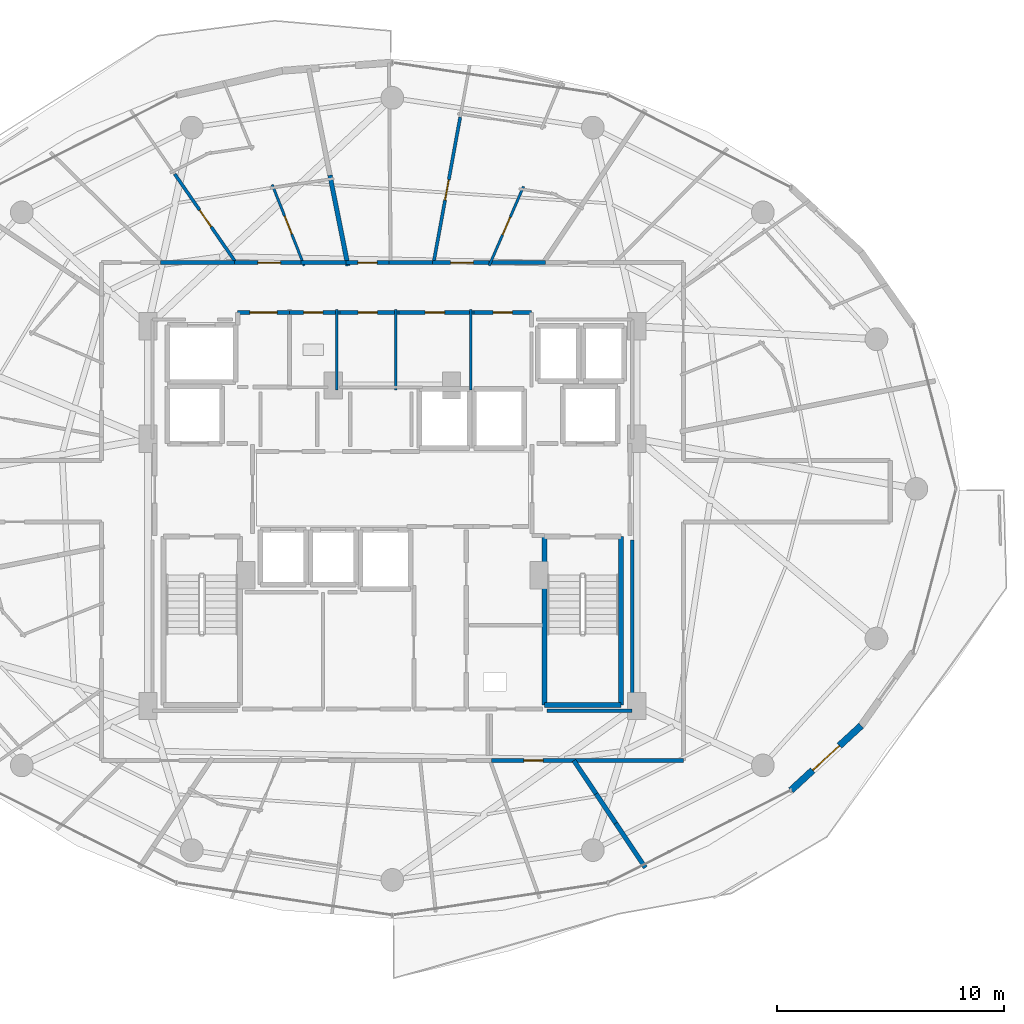
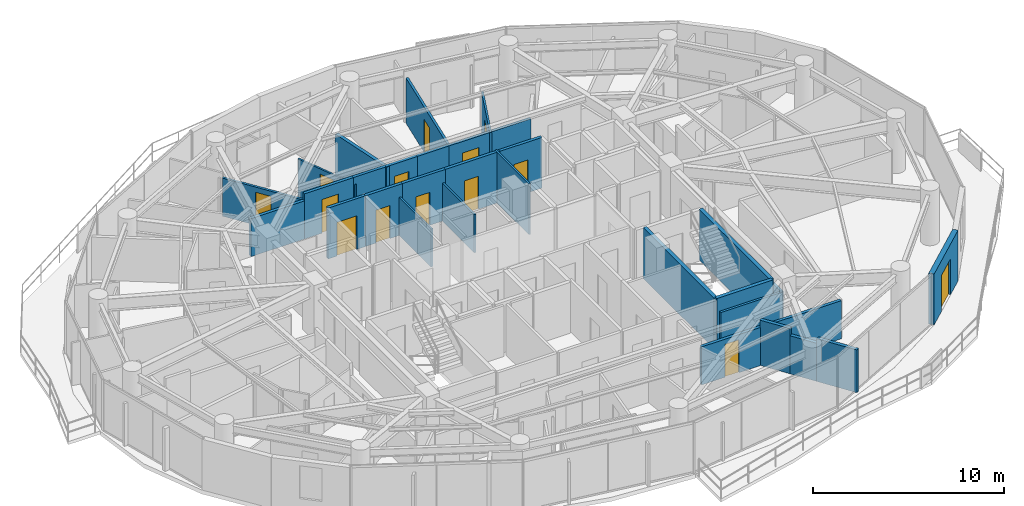
# One storey, part 24 of 30: 31 walls, 14 doors, 14 openings.
"""IFC4 building model written with IfcOpenShell, lengths in metres."""

import ifcopenshell
import ifcopenshell.guid

model = None  # the IFC model being written
_history = None  # IfcOwnerHistory: only IFC2X3 demands one
_inside = {}  # id of a spatial element -> (the spatial element, [elements in it])
_under = {}  # id of a project, library or spatial element -> (it, [spatial elements below it])
_declared = {}  # id of a project -> (the project, [libraries it declares])
_typed = {}  # id of a type object -> (the type object, [elements of that type])
_made_of = {}  # id of a material, layer set ... -> (it, [elements and type objects made of it])


def new_model(schema):
    """Start an empty IFC model of exactly this schema.

    Asked for "IFC4X3", IfcOpenShell would pick the latest addendum, in which some entities
    have other attributes; the version numbers below select the first issue.
    IFC2X3 requires an IfcOwnerHistory on every rooted entity: one is made here for all.
    """
    global model, _history
    if schema == "IFC4X3":
        model = ifcopenshell.file(schema_version=(4, 3, 0, 0))
    else:
        model = ifcopenshell.file(schema=schema)
    _inside.clear()
    _under.clear()
    _declared.clear()
    _typed.clear()
    _made_of.clear()
    _history = None
    if model.schema == "IFC2X3":
        org = make("IfcOrganization", Name="unknown")
        user = make(
            "IfcPersonAndOrganization",
            ThePerson=make("IfcPerson", FamilyName="unknown"),
            TheOrganization=org,
        )
        app = make(
            "IfcApplication",
            ApplicationDeveloper=org,
            Version="unknown",
            ApplicationFullName="unknown",
            ApplicationIdentifier="unknown",
        )
        _history = make(
            "IfcOwnerHistory",
            OwningUser=user,
            OwningApplication=app,
            ChangeAction="ADDED",
            CreationDate=0,
        )
    return model


def make(cls, **values):
    """One entity of the class cls with the attributes given. An attribute that is None is left unset."""
    return model.create_entity(
        cls, **{name: value for name, value in values.items() if value is not None}
    )


def rooted(cls, **values):
    """An entity with a GlobalId (a new one), such as an element, a storey or a relation."""
    return make(cls, GlobalId=ifcopenshell.guid.new(), OwnerHistory=_history, **values)


def si_unit(unit_type, name, prefix=None):
    """IfcSIUnit, for example si_unit("LENGTHUNIT", "METRE", prefix="MILLI")."""
    return make("IfcSIUnit", UnitType=unit_type, Prefix=prefix, Name=name)


def assignment(units):
    """IfcUnitAssignment: the units of a project."""
    return None if units is None else make("IfcUnitAssignment", Units=units)


def point(xyz):
    """IfcCartesianPoint."""
    return None if xyz is None else make("IfcCartesianPoint", Coordinates=xyz)


def direction(xyz):
    """IfcDirection."""
    return None if xyz is None else make("IfcDirection", DirectionRatios=xyz)


def frame(location, z_axis=None, x_axis=None):
    """IfcAxis2Placement3D, a coordinate frame: its origin and axes. An axis left out is left unset."""
    return make(
        "IfcAxis2Placement3D",
        Location=point(location),
        Axis=direction(z_axis),
        RefDirection=direction(x_axis),
    )


def frame_2d(location, x_axis=None):
    """IfcAxis2Placement2D, a coordinate frame in the plane: its origin and x axis."""
    return make(
        "IfcAxis2Placement2D", Location=point(location), RefDirection=direction(x_axis)
    )


def origin():
    """The frame at (0, 0, 0) with its axes left unset."""
    return frame((0.0, 0.0, 0.0))


def place(relative_to, where):
    """IfcLocalPlacement: puts the frame where relative to a parent placement (None: the world)."""
    return make(
        "IfcLocalPlacement", PlacementRelTo=relative_to, RelativePlacement=where
    )


def context(
    kind, dimensions, precision=None, world=None, true_north=None, identifier=None
):
    """IfcGeometricRepresentationContext, for example the 3D "Model" context."""
    return make(
        "IfcGeometricRepresentationContext",
        ContextIdentifier=identifier,
        ContextType=kind,
        CoordinateSpaceDimension=dimensions,
        Precision=precision,
        WorldCoordinateSystem=world,
        TrueNorth=true_north,
    )


def subcontext(parent, identifier, kind, view, scale=None):
    """IfcGeometricRepresentationSubContext, for example "Body" below "Model"."""
    return make(
        "IfcGeometricRepresentationSubContext",
        ContextIdentifier=identifier,
        ContextType=kind,
        ParentContext=parent,
        TargetScale=scale,
        TargetView=view,
    )


def project(units=None, contexts=None):
    """IfcProject with its units and contexts."""
    return rooted(
        "IfcProject",
        Name="project",
        RepresentationContexts=contexts,
        UnitsInContext=assignment(units),
    )


def spatial(cls, under=None, at=None, **own):
    """A site, building, storey or space (cls), placed at a placement, below another one or the project."""
    s = rooted(cls, ObjectPlacement=at, **own)
    if under is not None:
        _under.setdefault(under.id(), (under, []))[1].append(s)
    return s


def profile(cls, at=None, kind="AREA", **sizes):
    """A parametric profile (cls). Its sizes go by their IFC names, for example OverallWidth=200.0."""
    return make(cls, ProfileType=kind, Position=at, **sizes)


def rectangle(**sizes):
    """IfcRectangleProfileDef."""
    return profile("IfcRectangleProfileDef", **sizes)


def extrude(swept, where, along, depth):
    """IfcExtrudedAreaSolid: the profile swept, set in the frame where, extruded along a direction by depth."""
    return make(
        "IfcExtrudedAreaSolid",
        SweptArea=swept,
        Position=where,
        ExtrudedDirection=direction(along),
        Depth=depth,
    )


def shape(context_of_items, identifier, shape_type, items):
    """IfcShapeRepresentation: the items that make up one representation, for example the "Body"."""
    return make(
        "IfcShapeRepresentation",
        ContextOfItems=context_of_items,
        RepresentationIdentifier=identifier,
        RepresentationType=shape_type,
        Items=items,
    )


def material(Name=None, Category=None):
    """IfcMaterial."""
    return make("IfcMaterial", Name=Name, Category=Category)


def layer(
    of_material, thickness, ventilated=None, Name=None, Category=None, Priority=None
):
    """IfcMaterialLayer: one layer of a wall or slab, of a material (None: an air gap)."""
    return make(
        "IfcMaterialLayer",
        Material=of_material,
        LayerThickness=thickness,
        IsVentilated=ventilated,
        Name=Name,
        Category=Category,
        Priority=Priority,
    )


def layer_set(layers, Name=None):
    """IfcMaterialLayerSet."""
    return make("IfcMaterialLayerSet", MaterialLayers=layers, LayerSetName=Name)


def made_of(thing, what):
    """Note that an element or type object is made of a material, layer set ...; save() writes the relation."""
    if what is not None:
        _made_of.setdefault(what.id(), (what, []))[1].append(thing)
    return thing


def type_object(cls, material=None, **own):
    """A type object (cls), such as IfcWallType, which elements share."""
    return made_of(rooted(cls, **own), material)


def element(
    cls,
    number,
    at=None,
    inside=None,
    cuts=None,
    type_object=None,
    material=None,
    context=None,
    identifier="Body",
    shape_type=None,
    held_by="IfcProductDefinitionShape",
    body=None,
    shapes=None,
    **own,
):
    """One element of the class cls, such as IfcWall. Its Tag is "e" and its number.

    at: its placement. inside: the storey or other place that contains it. cuts: it is an
    opening in that element (IfcRelVoidsElement). A single representation is given by context,
    identifier, shape_type and body (its items); several are given by shapes. held_by: the class
    of the entity that holds the representations. save() writes the other relations.
    """
    e = rooted(cls, Tag="e%d" % number, ObjectPlacement=at, **own)
    if body is not None:
        shapes = [shape(context, identifier, shape_type, body)]
    if shapes is not None:
        e.Representation = make(held_by, Representations=shapes)
    if inside is not None:
        _inside.setdefault(inside.id(), (inside, []))[1].append(e)
    if cuts is not None:
        rooted(
            "IfcRelVoidsElement", RelatingBuildingElement=cuts, RelatedOpeningElement=e
        )
    if type_object is not None:
        _typed.setdefault(type_object.id(), (type_object, []))[1].append(e)
    return made_of(e, material)


def fill(opening, filler):
    """IfcRelFillsElement: the door or window that sits in an opening."""
    return rooted(
        "IfcRelFillsElement",
        RelatingOpeningElement=opening,
        RelatedBuildingElement=filler,
    )


def aggregate(whole, parts):
    """IfcRelAggregates: a whole, such as a stair, and the parts it consists of."""
    return rooted("IfcRelAggregates", RelatingObject=whole, RelatedObjects=parts)


def save(model, path):
    """Write the relations noted so far, then the file.

    IfcRelAggregates (storeys below a building ...), IfcRelContainedInSpatialStructure (elements
    in a storey), IfcRelDefinesByType, IfcRelAssociatesMaterial and IfcRelDeclares: one each for
    every whole, place, type object, material and project.
    """
    for whole, parts in _under.values():
        aggregate(whole, parts)
    for where, things in _inside.values():
        rooted(
            "IfcRelContainedInSpatialStructure",
            RelatedElements=things,
            RelatingStructure=where,
        )
    for kind, things in _typed.values():
        rooted("IfcRelDefinesByType", RelatedObjects=things, RelatingType=kind)
    for what, things in _made_of.values():
        rooted("IfcRelAssociatesMaterial", RelatedObjects=things, RelatingMaterial=what)
    for by, libraries in _declared.values():
        rooted("IfcRelDeclares", RelatingContext=by, RelatedDefinitions=libraries)
    model.write(path)


model = new_model("IFC4")

# Units and contexts
model_context = context("Model", 3, precision=1e-05, world=origin(), true_north=direction((0.0, 1.0)))
body_context = subcontext(model_context, "Body", "Model", "MODEL_VIEW")
ifc_project = project(units=[si_unit("LENGTHUNIT", "METRE"), si_unit("AREAUNIT", "SQUARE_METRE"), si_unit("VOLUMEUNIT", "CUBIC_METRE"), si_unit("PLANEANGLEUNIT", "RADIAN"), si_unit("MASSUNIT", "GRAM", prefix="KILO")], contexts=[model_context])

# Site, building, storey
site_placement = place(None, origin())
site = spatial("IfcSite", under=ifc_project, at=site_placement, CompositionType="ELEMENT")
building_placement = place(site_placement, origin())
building = spatial("IfcBuilding", under=site, at=building_placement, Name="Vorneva Point Tower", CompositionType="ELEMENT")
storey_placement = place(building_placement, frame((0.0, 0.0, 157.10009765625)))
storey = spatial("IfcBuildingStorey", under=building, at=storey_placement, Name="L42", CompositionType="ELEMENT", Elevation=157.10009765625)

# Wall, opening, door
ifc_material_1 = material(Name="Precast concrete B50 (C40/50)", Category="concrete")
ifc_layer_1 = layer(ifc_material_1, 0.300048828125)
ifc_layer_set_1 = layer_set([ifc_layer_1], Name="Precast concrete B50 (C40/50)")
wall_type_1 = type_object("IfcWallType", Name="WL-EXT-300", PredefinedType="STANDARD", material=ifc_layer_set_1)
wall_1_placement = place(storey_placement, frame((55.5361328125, 12.74169921875, 0.0), z_axis=(0.0, 0.0, 1.0), x_axis=(0.735477154165, 0.677549522693, 0.0)))
wall_1 = element("IfcWall", 1, at=wall_1_placement, inside=storey, type_object=wall_type_1, Name="L42 Pale-Metal Facade Spandrel Wall 15.1", PredefinedType="STANDARD", context=body_context, shape_type="SweptSolid", body=[
    extrude(rectangle(XDim=4.193603515625, YDim=0.300048828125, at=frame_2d((2.0966796875, 0.0))), origin(), (0.0, 0.0, 1.0), 3.239990234375),
])
opening_1_placement = place(wall_1_placement, frame((1.296875, 0.0, 0.0)))
opening_1 = element("IfcOpeningElement", 2, at=opening_1_placement, cuts=wall_1, Name="Opening BD-01", PredefinedType="OPENING", context=body_context, shape_type="SweptSolid", body=[
    extrude(rectangle(XDim=1.60009765625, YDim=2.300048828125, at=frame_2d((0.800048828125, 1.14990234375))), frame((0.0, 0.1650390625, 0.0), z_axis=(0.0, -1.0, 0.0), x_axis=(1.0, 0.0, 0.0)), (0.0, 0.0, 1.0), 0.329833984375),
])
ifc_material_2 = material(Name="Pale anodised aluminium", Category="aluminium")
door_type_1 = type_object("IfcDoorType", Name="DR-BAL-1600", OperationType="SLIDING_TO_LEFT", PredefinedType="DOOR", material=ifc_material_2)
door_1_placement = place(opening_1_placement, origin())
door_1 = element("IfcDoor", 3, at=door_1_placement, inside=storey, type_object=door_type_1, Name="L42 Balcony Terrace Access Door 15", OperationType="SLIDING_TO_LEFT", OverallHeight=2.300048828125, OverallWidth=1.60009765625, PredefinedType="DOOR", context=body_context, shape_type="SweptSolid", body=[
    extrude(rectangle(XDim=1.60009765625, YDim=2.300048828125, at=frame_2d((0.800048828125, 1.14990234375))), frame((0.0, 0.02490234375, 0.0), z_axis=(0.0, -1.0, 0.0), x_axis=(1.0, 0.0, 0.0)), (0.0, 0.0, 1.0), 0.050048828125),
])
fill(opening_1, door_1)

# Walls
ifc_material_3 = material(Name="Fire-rated acoustic gypsum stud partition", Category="gypsum")
ifc_layer_2 = layer(ifc_material_3, 0.110107421875)
ifc_layer_set_2 = layer_set([ifc_layer_2], Name="Fire-rated acoustic gypsum stud partition")
wall_type_2 = type_object("IfcWallType", Name="WL-PART-110", PredefinedType="PARTITIONING", material=ifc_layer_set_2)
for number, where, z_axis, x_axis, name in (
    (4, (35.550048828125, 30.340087890625, 0.0), (0.0, 0.0, 1.0), (0.0, 1.0, 0.0), "L42 Interior Partition 020"),
    (5, (38.14990234375, 30.340087890625, 0.0), (0.0, 0.0, 1.0), (0.0, 1.0, 0.0), "L42 Interior Partition 023"),
):
    element("IfcWall", number, at=place(storey_placement, frame(where, z_axis=z_axis, x_axis=x_axis)), inside=storey, type_object=wall_type_2, Name=name, PredefinedType="PARTITIONING", context=body_context, shape_type="SweptSolid", body=[
        extrude(rectangle(XDim=3.559814453125, YDim=0.110107421875, at=frame_2d((1.77978515625, 0.0))), origin(), (0.0, 0.0, 1.0), 2.431884765625),
    ])
wall_2_placement = place(storey_placement, frame((41.449951171875, 30.340087890625, 0.0), z_axis=(0.0, 0.0, 1.0), x_axis=(0.0, 1.0, 0.0)))
element("IfcWall", 6, at=wall_2_placement, inside=storey, type_object=wall_type_2, Name="L42 Interior Partition 026", PredefinedType="PARTITIONING", context=body_context, shape_type="SweptSolid", body=[
    extrude(rectangle(XDim=3.559814453125, YDim=0.110107421875, at=frame_2d((1.77978515625, 0.0))), origin(), (0.0, 0.0, 1.0), 3.239990234375),
])

# Wall, opening, door
wall_3_placement = place(storey_placement, frame((42.26123046875, 35.821533203125, 0.0), z_axis=(0.0, 0.0, 1.0), x_axis=(0.398098222937, 0.917342795739, 0.0)))
wall_3 = element("IfcWall", 7, at=wall_3_placement, inside=storey, type_object=wall_type_2, Name="L42 Interior Partition 084", PredefinedType="PARTITIONING", context=body_context, shape_type="SweptSolid", body=[
    extrude(rectangle(XDim=3.796630859375, YDim=0.110107421875, at=frame_2d((1.8984375, 0.0))), origin(), (0.0, 0.0, 1.0), 2.885986328125),
])
opening_2_placement = place(wall_3_placement, frame((1.473388671875, 0.0, 0.0)))
opening_2 = element("IfcOpeningElement", 8, at=opening_2_placement, cuts=wall_3, Name="Opening ID-02", PredefinedType="OPENING", context=body_context, shape_type="SweptSolid", body=[
    extrude(rectangle(XDim=0.85009765625, YDim=2.10009765625, at=frame_2d((0.425048828125, 1.050048828125))), frame((0.0, 0.06982421875, 0.0), z_axis=(0.0, -1.0, 0.0), x_axis=(1.0, 0.0, 0.0)), (0.0, 0.0, 1.0), 0.139892578125),
])
ifc_material_4 = material(Name="Engineered oak fire-rated door leaf", Category="wood")
door_type_2 = type_object("IfcDoorType", Name="DR-BATH-850", OperationType="NOTDEFINED", PredefinedType="DOOR", material=ifc_material_4)
door_2_placement = place(opening_2_placement, origin())
door_2 = element("IfcDoor", 9, at=door_2_placement, inside=storey, type_object=door_type_2, Name="L42 Door Living and Dining Room L42-02 / Bathroom L42-02", OperationType="SINGLE_SWING_RIGHT", OverallHeight=2.10009765625, OverallWidth=0.85009765625, PredefinedType="DOOR", context=body_context, shape_type="SweptSolid", body=[
    extrude(rectangle(XDim=0.85009765625, YDim=2.10009765625, at=frame_2d((0.425048828125, 1.050048828125))), frame((0.0, 0.02490234375, 0.0), z_axis=(0.0, -1.0, 0.0), x_axis=(1.0, 0.0, 0.0)), (0.0, 0.0, 1.0), 0.050048828125),
])
fill(opening_2, door_2)

wall_4_placement = place(storey_placement, frame((34.122314453125, 35.81982421875, 0.0), z_axis=(0.0, 0.0, 1.0), x_axis=(-0.36711859649, 0.930174142896, 0.0)))
wall_4 = element("IfcWall", 10, at=wall_4_placement, inside=storey, type_object=wall_type_2, Name="L42 Interior Partition 095", PredefinedType="PARTITIONING", context=body_context, shape_type="SweptSolid", body=[
    extrude(rectangle(XDim=3.826416015625, YDim=0.110107421875, at=frame_2d((1.9130859375, 0.0))), origin(), (0.0, 0.0, 1.0), 2.431884765625),
])
opening_3_placement = place(wall_4_placement, frame((1.48828125, 0.0, 0.0)))
opening_3 = element("IfcOpeningElement", 11, at=opening_3_placement, cuts=wall_4, Name="Opening ID-02", PredefinedType="OPENING", context=body_context, shape_type="SweptSolid", body=[
    extrude(rectangle(XDim=0.85009765625, YDim=2.10009765625, at=frame_2d((0.425048828125, 1.050048828125))), frame((0.0, 0.06982421875, 0.0), z_axis=(0.0, -1.0, 0.0), x_axis=(1.0, 0.0, 0.0)), (0.0, 0.0, 1.0), 0.139892578125),
])
door_3_placement = place(opening_3_placement, origin())
door_3 = element("IfcDoor", 12, at=door_3_placement, inside=storey, type_object=door_type_2, Name="L42 Door Living and Dining Room L42-03 / Bathroom L42-03", OperationType="SINGLE_SWING_LEFT", OverallHeight=2.10009765625, OverallWidth=0.85009765625, PredefinedType="DOOR", context=body_context, shape_type="SweptSolid", body=[
    extrude(rectangle(XDim=0.85009765625, YDim=2.10009765625, at=frame_2d((0.425048828125, 1.050048828125))), frame((0.0, 0.02490234375, 0.0), z_axis=(0.0, -1.0, 0.0), x_axis=(1.0, 0.0, 0.0)), (0.0, 0.0, 1.0), 0.050048828125),
])
fill(opening_3, door_3)

ifc_layer_3 = layer(ifc_material_3, 0.139892578125)
ifc_layer_set_3 = layer_set([ifc_layer_3], Name="Fire-rated acoustic gypsum stud partition")
wall_type_3 = type_object("IfcWallType", Name="WL-PART-140", PredefinedType="PARTITIONING", material=ifc_layer_set_3)
wall_5_placement = place(storey_placement, frame((40.985595703125, 42.349365234375, 0.0), z_axis=(0.0, 0.0, 1.0), x_axis=(-0.179654893395, -0.983729698281, 0.0)))
wall_5 = element("IfcWall", 13, at=wall_5_placement, inside=storey, type_object=wall_type_3, Name="L42 Interior Partition 091", PredefinedType="PARTITIONING", context=body_context, shape_type="SweptSolid", body=[
    extrude(rectangle(XDim=6.50537109375, YDim=0.139892578125, at=frame_2d((3.252685546875, 0.0))), origin(), (0.0, 0.0, 1.0), 2.885986328125),
])
opening_4_placement = place(wall_5_placement, frame((2.802490234375, 0.0, 0.0)))
opening_4 = element("IfcOpeningElement", 14, at=opening_4_placement, cuts=wall_5, Name="Opening ID-01", PredefinedType="OPENING", context=body_context, shape_type="SweptSolid", body=[
    extrude(rectangle(XDim=0.89990234375, YDim=2.10009765625, at=frame_2d((0.449951171875, 1.050048828125))), frame((0.0, 0.0849609375, 0.0), z_axis=(0.0, -1.0, 0.0), x_axis=(1.0, 0.0, 0.0)), (0.0, 0.0, 1.0), 0.169677734375),
])
door_type_3 = type_object("IfcDoorType", Name="DR-ROOM-900", OperationType="NOTDEFINED", PredefinedType="DOOR", material=ifc_material_4)
door_4_placement = place(opening_4_placement, origin())
door_4 = element("IfcDoor", 15, at=door_4_placement, inside=storey, type_object=door_type_3, Name="L42 Door Living and Dining Room L42-02 / Master Bedroom L42-02.1", OperationType="SINGLE_SWING_RIGHT", OverallHeight=2.10009765625, OverallWidth=0.89990234375, PredefinedType="DOOR", context=body_context, shape_type="SweptSolid", body=[
    extrude(rectangle(XDim=0.89990234375, YDim=2.10009765625, at=frame_2d((0.449951171875, 1.050048828125))), frame((0.0, 0.02490234375, 0.0), z_axis=(0.0, -1.0, 0.0), x_axis=(1.0, 0.0, 0.0)), (0.0, 0.0, 1.0), 0.050048828125),
])
fill(opening_4, door_4)

wall_6_placement = place(storey_placement, frame((28.428466796875, 39.848876953125, 0.0), z_axis=(0.0, 0.0, 1.0), x_axis=(0.568542808453, -0.822653678626, 0.0)))
wall_6 = element("IfcWall", 16, at=wall_6_placement, inside=storey, type_object=wall_type_3, Name="L42 Interior Partition 101", PredefinedType="PARTITIONING", context=body_context, shape_type="SweptSolid", body=[
    extrude(rectangle(XDim=4.739501953125, YDim=0.139892578125, at=frame_2d((2.36962890625, 0.0))), origin(), (0.0, 0.0, 1.0), 2.431884765625),
])
opening_5_placement = place(wall_6_placement, frame((1.919677734375, 0.0, 0.0)))
opening_5 = element("IfcOpeningElement", 17, at=opening_5_placement, cuts=wall_6, Name="Opening ID-01", PredefinedType="OPENING", context=body_context, shape_type="SweptSolid", body=[
    extrude(rectangle(XDim=0.89990234375, YDim=2.10009765625, at=frame_2d((0.449951171875, 1.050048828125))), frame((0.0, 0.0849609375, 0.0), z_axis=(0.0, -1.0, 0.0), x_axis=(1.0, 0.0, 0.0)), (0.0, 0.0, 1.0), 0.169677734375),
])
door_5_placement = place(opening_5_placement, origin())
door_5 = element("IfcDoor", 18, at=door_5_placement, inside=storey, type_object=door_type_3, Name="L42 Door Living and Dining Room L42-03 / Master Bedroom L42-03.1", OperationType="SINGLE_SWING_RIGHT", OverallHeight=2.10009765625, OverallWidth=0.89990234375, PredefinedType="DOOR", context=body_context, shape_type="SweptSolid", body=[
    extrude(rectangle(XDim=0.89990234375, YDim=2.10009765625, at=frame_2d((0.449951171875, 1.050048828125))), frame((0.0, 0.02490234375, 0.0), z_axis=(0.0, -1.0, 0.0), x_axis=(1.0, 0.0, 0.0)), (0.0, 0.0, 1.0), 0.050048828125),
])
fill(opening_5, door_5)

# Walls
wall_7_placement = place(storey_placement, frame((44.804931640625, 16.239990234375, 0.0), z_axis=(0.0, 0.0, 1.0), x_axis=(1.0, 0.0, 0.0)))
element("IfcWall", 19, at=wall_7_placement, inside=storey, type_object=wall_type_3, Name="L42 Interior Closure Partition 163", PredefinedType="PARTITIONING", context=body_context, shape_type="SweptSolid", body=[
    extrude(rectangle(XDim=3.7451171875, YDim=0.139892578125, at=frame_2d((1.87255859375, 0.0))), origin(), (0.0, 0.0, 1.0), 2.431884765625),
])
wall_8_placement = place(storey_placement, frame((48.550048828125, 16.239990234375, 0.0), z_axis=(0.0, 0.0, 1.0), x_axis=(0.0, 1.0, 0.0)))
element("IfcWall", 20, at=wall_8_placement, inside=storey, type_object=wall_type_3, Name="L42 Interior Closure Partition 164", PredefinedType="PARTITIONING", context=body_context, shape_type="SweptSolid", body=[
    extrude(rectangle(XDim=7.513916015625, YDim=0.139892578125, at=frame_2d((3.7568359375, 0.0))), origin(), (0.0, 0.0, 1.0), 2.431884765625),
])

# Wall, opening, door
ifc_material_5 = material(Name="Autoclaved aerated concrete blockwork", Category="masonry")
ifc_layer_4 = layer(ifc_material_5, 0.179931640625)
ifc_layer_set_4 = layer_set([ifc_layer_4], Name="Autoclaved aerated concrete blockwork")
wall_type_4 = type_object("IfcWallType", Name="WL-PART-180", PredefinedType="PARTITIONING", material=ifc_layer_set_4)
wall_9_placement = place(storey_placement, frame((33.469970703125, 33.760009765625, 0.0), z_axis=(0.0, 0.0, 1.0), x_axis=(-1.0, 0.0, 0.0)))
wall_9 = element("IfcWall", 21, at=wall_9_placement, inside=storey, type_object=wall_type_4, Name="L42 Interior Partition 008", PredefinedType="PARTITIONING", context=body_context, shape_type="SweptSolid", body=[
    extrude(rectangle(XDim=2.27001953125, YDim=0.179931640625, at=frame_2d((1.135009765625, 0.0))), origin(), (0.0, 0.0, 1.0), 3.239990234375),
])
opening_6_placement = place(wall_9_placement, frame((0.534912109375, 0.0, 0.0)))
opening_6 = element("IfcOpeningElement", 22, at=opening_6_placement, cuts=wall_9, Name="Opening FD-02", PredefinedType="OPENING", context=body_context, shape_type="SweptSolid", body=[
    extrude(rectangle(XDim=1.199951171875, YDim=2.14990234375, at=frame_2d((0.60009765625, 1.074951171875))), frame((0.0, 0.10498046875, 0.0), z_axis=(0.0, -1.0, 0.0), x_axis=(1.0, 0.0, 0.0)), (0.0, 0.0, 1.0), 0.209716796875),
])
ifc_material_6 = material(Name="Fire-rated powder-coated steel", Category="steel")
door_type_4 = type_object("IfcDoorType", Name="DR-FFL-1200", OperationType="NOTDEFINED", PredefinedType="DOOR", material=ifc_material_6)
door_6_placement = place(opening_6_placement, origin())
door_6 = element("IfcDoor", 23, at=door_6_placement, inside=storey, type_object=door_type_4, Name="L42 Door Service Lift Lobby / L42 Circulation Corridor", OperationType="SINGLE_SWING_RIGHT", OverallHeight=2.14990234375, OverallWidth=1.199951171875, PredefinedType="DOOR", context=body_context, shape_type="SweptSolid", body=[
    extrude(rectangle(XDim=1.199951171875, YDim=2.14990234375, at=frame_2d((0.60009765625, 1.074951171875))), frame((0.0, 0.02490234375, 0.0), z_axis=(0.0, -1.0, 0.0), x_axis=(1.0, 0.0, 0.0)), (0.0, 0.0, 1.0), 0.050048828125),
])
fill(opening_6, door_6)

wall_10_placement = place(storey_placement, frame((35.68994140625, 33.760009765625, 0.0), z_axis=(0.0, 0.0, 1.0), x_axis=(-1.0, 0.0, 0.0)))
wall_10 = element("IfcWall", 24, at=wall_10_placement, inside=storey, type_object=wall_type_4, Name="L42 Interior Partition 022", PredefinedType="PARTITIONING", context=body_context, shape_type="SweptSolid", body=[
    extrude(rectangle(XDim=2.329833984375, YDim=0.179931640625, at=frame_2d((1.1650390625, 0.0))), origin(), (0.0, 0.0, 1.0), 3.239990234375),
])
opening_7_placement = place(wall_10_placement, frame((0.739990234375, 0.0, 0.0)))
opening_7 = element("IfcOpeningElement", 25, at=opening_7_placement, cuts=wall_10, Name="Opening ID-02", PredefinedType="OPENING", context=body_context, shape_type="SweptSolid", body=[
    extrude(rectangle(XDim=0.85009765625, YDim=2.10009765625, at=frame_2d((0.425048828125, 1.050048828125))), frame((0.0, 0.10498046875, 0.0), z_axis=(0.0, -1.0, 0.0), x_axis=(1.0, 0.0, 0.0)), (0.0, 0.0, 1.0), 0.209716796875),
])
door_7_placement = place(opening_7_placement, origin())
door_7 = element("IfcDoor", 26, at=door_7_placement, inside=storey, type_object=door_type_2, Name="L42 Door Accessible WC / L42 Circulation Corridor", OperationType="SINGLE_SWING_RIGHT", OverallHeight=2.10009765625, OverallWidth=0.85009765625, PredefinedType="DOOR", context=body_context, shape_type="SweptSolid", body=[
    extrude(rectangle(XDim=0.85009765625, YDim=2.10009765625, at=frame_2d((0.425048828125, 1.050048828125))), frame((0.0, 0.02490234375, 0.0), z_axis=(0.0, -1.0, 0.0), x_axis=(1.0, 0.0, 0.0)), (0.0, 0.0, 1.0), 0.050048828125),
])
fill(opening_7, door_7)

wall_11_placement = place(storey_placement, frame((38.2900390625, 33.760009765625, 0.0), z_axis=(0.0, 0.0, 1.0), x_axis=(-1.0, 0.0, 0.0)))
wall_11 = element("IfcWall", 27, at=wall_11_placement, inside=storey, type_object=wall_type_4, Name="L42 Interior Partition 025", PredefinedType="PARTITIONING", context=body_context, shape_type="SweptSolid", body=[
    extrude(rectangle(XDim=2.739990234375, YDim=0.179931640625, at=frame_2d((1.3701171875, 0.0))), origin(), (0.0, 0.0, 1.0), 3.239990234375),
])
opening_8_placement = place(wall_11_placement, frame((0.945068359375, 0.0, 0.0)))
opening_8 = element("IfcOpeningElement", 28, at=opening_8_placement, cuts=wall_11, Name="Opening ID-02", PredefinedType="OPENING", context=body_context, shape_type="SweptSolid", body=[
    extrude(rectangle(XDim=0.85009765625, YDim=2.10009765625, at=frame_2d((0.425048828125, 1.050048828125))), frame((0.0, 0.10498046875, 0.0), z_axis=(0.0, -1.0, 0.0), x_axis=(1.0, 0.0, 0.0)), (0.0, 0.0, 1.0), 0.209716796875),
])
door_8_placement = place(opening_8_placement, origin())
door_8 = element("IfcDoor", 29, at=door_8_placement, inside=storey, type_object=door_type_2, Name="L42 Door Public Male WC / L42 Circulation Corridor", OperationType="SINGLE_SWING_LEFT", OverallHeight=2.10009765625, OverallWidth=0.85009765625, PredefinedType="DOOR", context=body_context, shape_type="SweptSolid", body=[
    extrude(rectangle(XDim=0.85009765625, YDim=2.10009765625, at=frame_2d((0.425048828125, 1.050048828125))), frame((0.0, 0.02490234375, 0.0), z_axis=(0.0, -1.0, 0.0), x_axis=(1.0, 0.0, 0.0)), (0.0, 0.0, 1.0), 0.050048828125),
])
fill(opening_8, door_8)

wall_12_placement = place(storey_placement, frame((41.590087890625, 33.760009765625, 0.0), z_axis=(0.0, 0.0, 1.0), x_axis=(-1.0, 0.0, 0.0)))
wall_12 = element("IfcWall", 30, at=wall_12_placement, inside=storey, type_object=wall_type_4, Name="L42 Interior Partition 028", PredefinedType="PARTITIONING", context=body_context, shape_type="SweptSolid", body=[
    extrude(rectangle(XDim=3.440185546875, YDim=0.179931640625, at=frame_2d((1.72021484375, 0.0))), origin(), (0.0, 0.0, 1.0), 3.239990234375),
])
opening_9_placement = place(wall_12_placement, frame((1.294921875, 0.0, 0.0)))
opening_9 = element("IfcOpeningElement", 31, at=opening_9_placement, cuts=wall_12, Name="Opening ID-02", PredefinedType="OPENING", context=body_context, shape_type="SweptSolid", body=[
    extrude(rectangle(XDim=0.85009765625, YDim=2.10009765625, at=frame_2d((0.425048828125, 1.050048828125))), frame((0.0, 0.10498046875, 0.0), z_axis=(0.0, -1.0, 0.0), x_axis=(1.0, 0.0, 0.0)), (0.0, 0.0, 1.0), 0.209716796875),
])
door_9_placement = place(opening_9_placement, origin())
door_9 = element("IfcDoor", 32, at=door_9_placement, inside=storey, type_object=door_type_2, Name="L42 Door Public Female WC / L42 Circulation Corridor", OperationType="SINGLE_SWING_RIGHT", OverallHeight=2.10009765625, OverallWidth=0.85009765625, PredefinedType="DOOR", context=body_context, shape_type="SweptSolid", body=[
    extrude(rectangle(XDim=0.85009765625, YDim=2.10009765625, at=frame_2d((0.425048828125, 1.050048828125))), frame((0.0, 0.02490234375, 0.0), z_axis=(0.0, -1.0, 0.0), x_axis=(1.0, 0.0, 0.0)), (0.0, 0.0, 1.0), 0.050048828125),
])
fill(opening_9, door_9)

wall_13_placement = place(storey_placement, frame((44.1201171875, 33.760009765625, 0.0), z_axis=(0.0, 0.0, 1.0), x_axis=(-1.0, 0.0, 0.0)))
wall_13 = element("IfcWall", 33, at=wall_13_placement, inside=storey, type_object=wall_type_4, Name="L42 Interior Partition 029", PredefinedType="PARTITIONING", context=body_context, shape_type="SweptSolid", body=[
    extrude(rectangle(XDim=2.530029296875, YDim=0.179931640625, at=frame_2d((1.26513671875, 0.0))), origin(), (0.0, 0.0, 1.0), 3.239990234375),
])
opening_10_placement = place(wall_13_placement, frame((0.840087890625, 0.0, 0.0)))
opening_10 = element("IfcOpeningElement", 34, at=opening_10_placement, cuts=wall_13, Name="Opening ID-02", PredefinedType="OPENING", context=body_context, shape_type="SweptSolid", body=[
    extrude(rectangle(XDim=0.85009765625, YDim=2.10009765625, at=frame_2d((0.425048828125, 1.050048828125))), frame((0.0, 0.10498046875, 0.0), z_axis=(0.0, -1.0, 0.0), x_axis=(1.0, 0.0, 0.0)), (0.0, 0.0, 1.0), 0.209716796875),
])
door_10_placement = place(opening_10_placement, origin())
door_10 = element("IfcDoor", 35, at=door_10_placement, inside=storey, type_object=door_type_2, Name="L42 Door Cleaners Store / L42 Circulation Corridor", OperationType="SINGLE_SWING_LEFT", OverallHeight=2.10009765625, OverallWidth=0.85009765625, PredefinedType="DOOR", context=body_context, shape_type="SweptSolid", body=[
    extrude(rectangle(XDim=0.85009765625, YDim=2.10009765625, at=frame_2d((0.425048828125, 1.050048828125))), frame((0.0, 0.02490234375, 0.0), z_axis=(0.0, -1.0, 0.0), x_axis=(1.0, 0.0, 0.0)), (0.0, 0.0, 1.0), 0.050048828125),
])
fill(opening_10, door_10)

wall_14_placement = place(storey_placement, frame((42.382080078125, 35.949951171875, 0.0), z_axis=(0.0, 0.0, 1.0), x_axis=(-1.0, 0.0, 0.0)))
wall_14 = element("IfcWall", 36, at=wall_14_placement, inside=storey, type_object=wall_type_4, Name="L42 Interior Partition 039", PredefinedType="PARTITIONING", context=body_context, shape_type="SweptSolid", body=[
    extrude(rectangle(XDim=2.625, YDim=0.179931640625, at=frame_2d((1.3125, 0.0))), origin(), (0.0, 0.0, 1.0), 2.885986328125),
])
opening_11_placement = place(wall_14_placement, frame((0.8125, 0.0, 0.0)))
opening_11 = element("IfcOpeningElement", 37, at=opening_11_placement, cuts=wall_14, Name="Opening UD-01", PredefinedType="OPENING", context=body_context, shape_type="SweptSolid", body=[
    extrude(rectangle(XDim=1.0, YDim=2.14990234375, at=frame_2d((0.5, 1.074951171875))), frame((0.0, 0.10498046875, 0.0), z_axis=(0.0, -1.0, 0.0), x_axis=(1.0, 0.0, 0.0)), (0.0, 0.0, 1.0), 0.209716796875),
])
door_type_5 = type_object("IfcDoorType", Name="DR-UNIT-1000", OperationType="NOTDEFINED", PredefinedType="DOOR", material=ifc_material_4)
door_11_placement = place(opening_11_placement, origin())
door_11 = element("IfcDoor", 38, at=door_11_placement, inside=storey, type_object=door_type_5, Name="L42 Door L42 Circulation Corridor / Living and Dining Room L42-02", OperationType="SINGLE_SWING_LEFT", OverallHeight=2.14990234375, OverallWidth=1.0, PredefinedType="DOOR", context=body_context, shape_type="SweptSolid", body=[
    extrude(rectangle(XDim=1.0, YDim=2.14990234375, at=frame_2d((0.5, 1.074951171875))), frame((0.0, 0.02490234375, 0.0), z_axis=(0.0, -1.0, 0.0), x_axis=(1.0, 0.0, 0.0)), (0.0, 0.0, 1.0), 0.050048828125),
])
fill(opening_11, door_11)

# Walls
wall_15_placement = place(storey_placement, frame((44.72802734375, 35.949951171875, 0.0), z_axis=(0.0, 0.0, 1.0), x_axis=(-1.0, 0.0, 0.0)))
element("IfcWall", 39, at=wall_15_placement, inside=storey, type_object=wall_type_4, Name="L42 Interior Partition 040", PredefinedType="PARTITIONING", context=body_context, shape_type="SweptSolid", body=[
    extrude(rectangle(XDim=2.486083984375, YDim=0.179931640625, at=frame_2d((1.2431640625, 0.0))), origin(), (0.0, 0.0, 1.0), 2.885986328125),
])
wall_16_placement = place(storey_placement, frame((39.757080078125, 35.949951171875, 0.0), z_axis=(0.0, 0.0, 1.0), x_axis=(-1.0, 0.0, 0.0)))
element("IfcWall", 40, at=wall_16_placement, inside=storey, type_object=wall_type_4, Name="L42 Interior Partition 041", PredefinedType="PARTITIONING", context=body_context, shape_type="SweptSolid", body=[
    extrude(rectangle(XDim=1.89501953125, YDim=0.179931640625, at=frame_2d((0.947509765625, 0.0))), origin(), (0.0, 0.0, 1.0), 2.885986328125),
])

# Wall, opening, door
wall_17_placement = place(storey_placement, frame((37.862060546875, 35.949951171875, 0.0), z_axis=(0.0, 0.0, 1.0), x_axis=(-1.0, 0.0, 0.0)))
wall_17 = element("IfcWall", 41, at=wall_17_placement, inside=storey, type_object=wall_type_4, Name="L42 Interior Partition 042", PredefinedType="PARTITIONING", context=body_context, shape_type="SweptSolid", body=[
    extrude(rectangle(XDim=1.902099609375, YDim=0.179931640625, at=frame_2d((0.951171875, 0.0))), origin(), (0.0, 0.0, 1.0), 2.885986328125),
])
opening_12_placement = place(wall_17_placement, frame((0.52587890625, 0.0, 0.0)))
opening_12 = element("IfcOpeningElement", 42, at=opening_12_placement, cuts=wall_17, Name="Opening ID-02", PredefinedType="OPENING", context=body_context, shape_type="SweptSolid", body=[
    extrude(rectangle(XDim=0.85009765625, YDim=2.10009765625, at=frame_2d((0.425048828125, 1.050048828125))), frame((0.0, 0.10498046875, 0.0), z_axis=(0.0, -1.0, 0.0), x_axis=(1.0, 0.0, 0.0)), (0.0, 0.0, 1.0), 0.209716796875),
])
door_12_placement = place(opening_12_placement, origin())
door_12 = element("IfcDoor", 43, at=door_12_placement, inside=storey, type_object=door_type_2, Name="L42 Access Door L42 Circulation Corridor", OperationType="SINGLE_SWING_RIGHT", OverallHeight=2.10009765625, OverallWidth=0.85009765625, PredefinedType="DOOR", context=body_context, shape_type="SweptSolid", body=[
    extrude(rectangle(XDim=0.85009765625, YDim=2.10009765625, at=frame_2d((0.425048828125, 1.050048828125))), frame((0.0, 0.02490234375, 0.0), z_axis=(0.0, -1.0, 0.0), x_axis=(1.0, 0.0, 0.0)), (0.0, 0.0, 1.0), 0.050048828125),
])
fill(opening_12, door_12)

wall_18_placement = place(storey_placement, frame((34.131103515625, 35.949951171875, 0.0), z_axis=(0.0, 0.0, 1.0), x_axis=(-1.0, 0.0, 0.0)))
wall_18 = element("IfcWall", 44, at=wall_18_placement, inside=storey, type_object=wall_type_4, Name="L42 Interior Partition 043", PredefinedType="PARTITIONING", context=body_context, shape_type="SweptSolid", body=[
    extrude(rectangle(XDim=3.0810546875, YDim=0.179931640625, at=frame_2d((1.54052734375, 0.0))), origin(), (0.0, 0.0, 1.0), 2.885986328125),
])
opening_13_placement = place(wall_18_placement, frame((1.04052734375, 0.0, 0.0)))
opening_13 = element("IfcOpeningElement", 45, at=opening_13_placement, cuts=wall_18, Name="Opening UD-01", PredefinedType="OPENING", context=body_context, shape_type="SweptSolid", body=[
    extrude(rectangle(XDim=1.0, YDim=2.14990234375, at=frame_2d((0.5, 1.074951171875))), frame((0.0, 0.10498046875, 0.0), z_axis=(0.0, -1.0, 0.0), x_axis=(1.0, 0.0, 0.0)), (0.0, 0.0, 1.0), 0.209716796875),
])
door_13_placement = place(opening_13_placement, origin())
door_13 = element("IfcDoor", 46, at=door_13_placement, inside=storey, type_object=door_type_5, Name="L42 Door L42 Circulation Corridor / Living and Dining Room L42-03", OperationType="SINGLE_SWING_RIGHT", OverallHeight=2.14990234375, OverallWidth=1.0, PredefinedType="DOOR", context=body_context, shape_type="SweptSolid", body=[
    extrude(rectangle(XDim=1.0, YDim=2.14990234375, at=frame_2d((0.5, 1.074951171875))), frame((0.0, 0.02490234375, 0.0), z_axis=(0.0, -1.0, 0.0), x_axis=(1.0, 0.0, 0.0)), (0.0, 0.0, 1.0), 0.050048828125),
])
fill(opening_13, door_13)

# Walls
wall_19_placement = place(storey_placement, frame((36.10009765625, 35.949951171875, 0.0), z_axis=(0.0, 0.0, 1.0), x_axis=(-1.0, 0.0, 0.0)))
element("IfcWall", 47, at=wall_19_placement, inside=storey, type_object=wall_type_4, Name="L42 Interior Partition 044", PredefinedType="PARTITIONING", context=body_context, shape_type="SweptSolid", body=[
    extrude(rectangle(XDim=2.109130859375, YDim=0.179931640625, at=frame_2d((1.0546875, 0.0))), origin(), (0.0, 0.0, 1.0), 2.885986328125),
])
wall_20_placement = place(storey_placement, frame((31.050048828125, 35.949951171875, 0.0), z_axis=(0.0, 0.0, 1.0), x_axis=(-1.0, 0.0, 0.0)))
element("IfcWall", 48, at=wall_20_placement, inside=storey, type_object=wall_type_4, Name="L42 Interior Partition 045", PredefinedType="PARTITIONING", context=body_context, shape_type="SweptSolid", body=[
    extrude(rectangle(XDim=3.244140625, YDim=0.179931640625, at=frame_2d((1.6220703125, 0.0))), origin(), (0.0, 0.0, 1.0), 2.431884765625),
])

# Wall, opening, door
wall_21_placement = place(storey_placement, frame((42.365966796875, 14.050048828125, 0.0), z_axis=(0.0, 0.0, 1.0), x_axis=(1.0, 0.0, 0.0)))
wall_21 = element("IfcWall", 49, at=wall_21_placement, inside=storey, type_object=wall_type_4, Name="L42 Interior Partition 065", PredefinedType="PARTITIONING", context=body_context, shape_type="SweptSolid", body=[
    extrude(rectangle(XDim=3.69091796875, YDim=0.179931640625, at=frame_2d((1.845458984375, 0.0))), origin(), (0.0, 0.0, 1.0), 2.431884765625),
])
opening_14_placement = place(wall_21_placement, frame((1.42041015625, 0.0, 0.0)))
opening_14 = element("IfcOpeningElement", 50, at=opening_14_placement, cuts=wall_21, Name="Opening ID-02", PredefinedType="OPENING", context=body_context, shape_type="SweptSolid", body=[
    extrude(rectangle(XDim=0.85009765625, YDim=2.10009765625, at=frame_2d((0.425048828125, 1.050048828125))), frame((0.0, 0.10498046875, 0.0), z_axis=(0.0, -1.0, 0.0), x_axis=(1.0, 0.0, 0.0)), (0.0, 0.0, 1.0), 0.209716796875),
])
door_14_placement = place(opening_14_placement, origin())
door_14 = element("IfcDoor", 51, at=door_14_placement, inside=storey, type_object=door_type_2, Name="L42 Access Door L42 Circulation Corridor", OperationType="SINGLE_SWING_LEFT", OverallHeight=2.10009765625, OverallWidth=0.85009765625, PredefinedType="DOOR", context=body_context, shape_type="SweptSolid", body=[
    extrude(rectangle(XDim=0.85009765625, YDim=2.10009765625, at=frame_2d((0.425048828125, 1.050048828125))), frame((0.0, 0.02490234375, 0.0), z_axis=(0.0, -1.0, 0.0), x_axis=(1.0, 0.0, 0.0)), (0.0, 0.0, 1.0), 0.050048828125),
])
fill(opening_14, door_14)

# Walls
wall_22_placement = place(storey_placement, frame((46.056884765625, 14.050048828125, 0.0), z_axis=(0.0, 0.0, 1.0), x_axis=(1.0, 0.0, 0.0)))
element("IfcWall", 52, at=wall_22_placement, inside=storey, type_object=wall_type_4, Name="L42 Interior Partition 066", PredefinedType="PARTITIONING", context=body_context, shape_type="SweptSolid", body=[
    extrude(rectangle(XDim=4.7431640625, YDim=0.179931640625, at=frame_2d((2.37158203125, 0.0))), origin(), (0.0, 0.0, 1.0), 2.431884765625),
])
ifc_layer_5 = layer(ifc_material_5, 0.199951171875)
ifc_layer_set_5 = layer_set([ifc_layer_5], Name="Autoclaved aerated concrete blockwork")
wall_type_5 = type_object("IfcWallType", Name="WL-PART-200", PredefinedType="PARTITIONING", material=ifc_layer_set_5)
wall_23_placement = place(storey_placement, frame((35.255615234375, 39.79541015625, 0.0), z_axis=(0.0, 0.0, 1.0), x_axis=(0.195214230991, -0.980760625239, 0.0)))
element("IfcWall", 53, at=wall_23_placement, inside=storey, type_object=wall_type_5, Name="L42 Interior Partition 094", PredefinedType="PARTITIONING", context=body_context, shape_type="SweptSolid", body=[
    extrude(rectangle(XDim=4.060791015625, YDim=0.199951171875, at=frame_2d((2.0302734375, 0.0))), origin(), (0.0, 0.0, 1.0), 2.885986328125),
])
wall_24_placement = place(storey_placement, frame((49.131103515625, 9.341064453125, 0.0), z_axis=(0.0, 0.0, 1.0), x_axis=(-0.555659266741, 0.831410114976, 0.0)))
element("IfcWall", 54, at=wall_24_placement, inside=storey, type_object=wall_type_5, Name="L42 Interior Partition 141", PredefinedType="PARTITIONING", context=body_context, shape_type="SweptSolid", body=[
    extrude(rectangle(XDim=2.348876953125, YDim=0.199951171875, at=frame_2d((1.17431640625, 0.0))), origin(), (0.0, 0.0, 1.0), 2.727783203125),
])
wall_25_placement = place(storey_placement, frame((47.825927734375, 11.2939453125, 0.0), z_axis=(0.0, 0.0, 1.0), x_axis=(-0.55538732275, 0.831591799941, 0.0)))
element("IfcWall", 55, at=wall_25_placement, inside=storey, type_object=wall_type_5, Name="L42 Interior Partition 142", PredefinedType="PARTITIONING", context=body_context, shape_type="SweptSolid", body=[
    extrude(rectangle(XDim=1.557373046875, YDim=0.199951171875, at=frame_2d((0.77880859375, 0.0))), origin(), (0.0, 0.0, 1.0), 2.431884765625),
])
wall_26_placement = place(storey_placement, frame((46.9609375, 12.589111328125, 0.0), z_axis=(0.0, 0.0, 1.0), x_axis=(-0.555437554373, 0.83155825003, 0.0)))
element("IfcWall", 56, at=wall_26_placement, inside=storey, type_object=wall_type_5, Name="L42 Interior Partition 143", PredefinedType="PARTITIONING", context=body_context, shape_type="SweptSolid", body=[
    extrude(rectangle(XDim=1.7568359375, YDim=0.199951171875, at=frame_2d((0.87841796875, 0.0))), origin(), (0.0, 0.0, 1.0), 2.885986328125),
])
ifc_material_7 = material(Name="Concrete B50 (C40/50)", Category="concrete")
ifc_layer_6 = layer(ifc_material_7, 0.219970703125)
ifc_layer_set_6 = layer_set([ifc_layer_6], Name="Concrete B50 (C40/50)")
wall_type_6 = type_object("IfcWallType", Name="WL-SHFT-220", PredefinedType="SOLIDWALL", material=ifc_layer_set_6)
wall_27_placement = place(storey_placement, frame((48.06005859375, 23.909912109375, 0.0), z_axis=(0.0, 0.0, 1.0), x_axis=(0.0, -1.0, 0.0)))
element("IfcWall", 57, at=wall_27_placement, inside=storey, type_object=wall_type_6, Name="L42 Exit Stair ST2 Shaft Wall right", PredefinedType="SOLIDWALL", context=body_context, shape_type="SweptSolid", body=[
    extrude(rectangle(XDim=7.419921875, YDim=0.219970703125, at=frame_2d((3.7099609375, 0.0))), origin(), (0.0, 0.0, 1.0), 3.239990234375),
])
wall_28_placement = place(storey_placement, frame((48.06005859375, 16.489990234375, 0.0), z_axis=(0.0, 0.0, 1.0), x_axis=(-1.0, 0.0, 0.0)))
element("IfcWall", 58, at=wall_28_placement, inside=storey, type_object=wall_type_6, Name="L42 Exit Stair ST2 Shaft Wall far", PredefinedType="SOLIDWALL", context=body_context, shape_type="SweptSolid", body=[
    extrude(rectangle(XDim=3.3701171875, YDim=0.219970703125, at=frame_2d((1.68505859375, 0.0))), origin(), (0.0, 0.0, 1.0), 3.239990234375),
])
wall_29_placement = place(storey_placement, frame((44.68994140625, 16.489990234375, 0.0), z_axis=(0.0, 0.0, 1.0), x_axis=(0.0, 1.0, 0.0)))
element("IfcWall", 59, at=wall_29_placement, inside=storey, type_object=wall_type_6, Name="L42 Exit Stair ST2 Shaft Wall left", PredefinedType="SOLIDWALL", context=body_context, shape_type="SweptSolid", body=[
    extrude(rectangle(XDim=7.419921875, YDim=0.219970703125, at=frame_2d((3.7099609375, 0.0))), origin(), (0.0, 0.0, 1.0), 3.239990234375),
])

save(model, "model.ifc")
